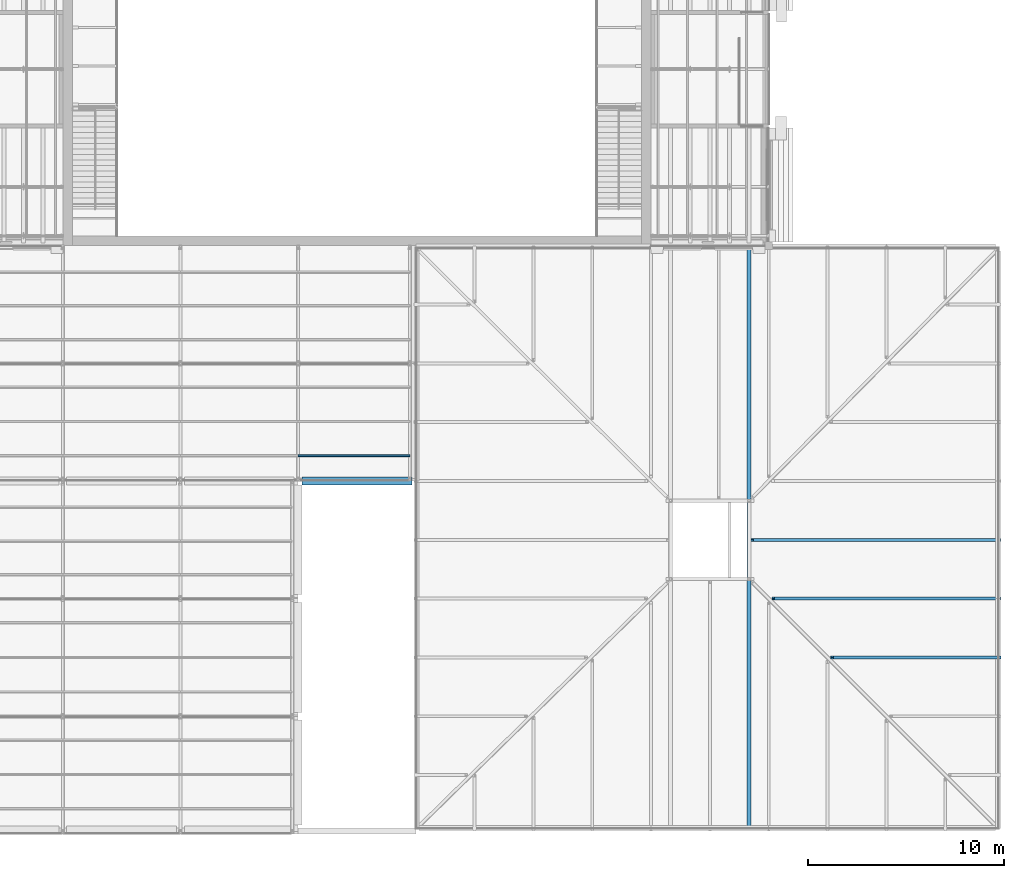
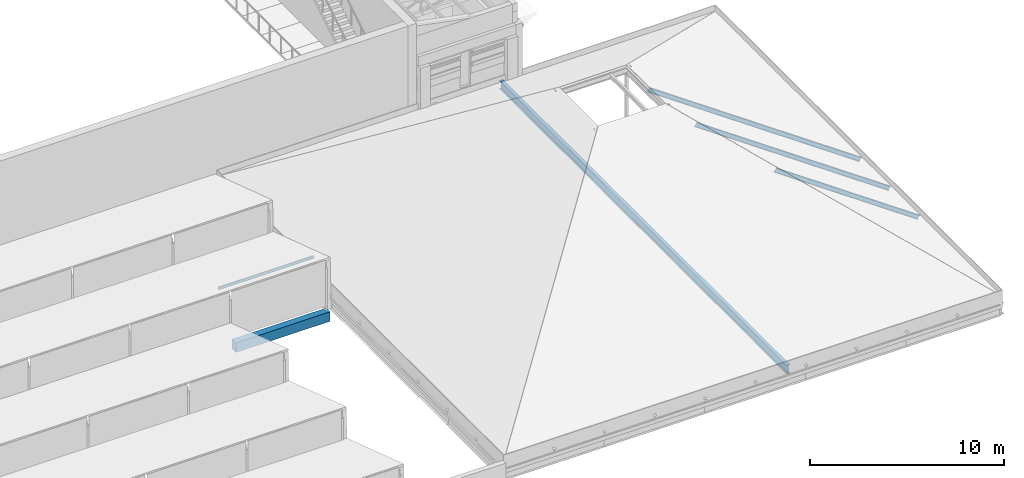
# One storey, part 20 of 118: 4 members, 2 beams.
"""IFC4 building model written with IfcOpenShell, lengths in metres."""

from ifc_helpers import new_model, si_unit, direction, frame, origin, origin_2d, place, context, subcontext, project, spatial, rectangle, i_section, extrude, material, material_profile, profile_set, type_object, element, save


model = new_model("IFC4")

# Units and contexts
model_context = context("Model", 3, precision=1e-05, world=origin(), true_north=direction((0.0, 1.0)))
body_context = subcontext(model_context, "Body", "Model", "MODEL_VIEW")
ifc_project = project(units=[si_unit("LENGTHUNIT", "METRE"), si_unit("AREAUNIT", "SQUARE_METRE"), si_unit("VOLUMEUNIT", "CUBIC_METRE"), si_unit("PLANEANGLEUNIT", "RADIAN"), si_unit("MASSUNIT", "GRAM", prefix="KILO")], contexts=[model_context])

# Site, building, storey
site_placement = place(None, origin())
site = spatial("IfcSite", under=ifc_project, at=site_placement, CompositionType="ELEMENT")
building_placement = place(site_placement, origin())
building = spatial("IfcBuilding", under=site, at=building_placement, Name="Saffron Lane Theatres", CompositionType="ELEMENT")
storey_placement = place(building_placement, frame((0.0, 0.0, 16.5)))
storey = spatial("IfcBuildingStorey", under=building, at=storey_placement, Name="L03", CompositionType="ELEMENT", Elevation=16.5)

# Beams
ifc_material_1 = material(Name="Concrete N40 (40 MPa)", Category="concrete")
ifc_material_profile_1 = material_profile(ifc_material_1, rectangle(XDim=0.39990234375, YDim=0.60009765625, at=origin_2d()))
ifc_profile_set_1 = profile_set([ifc_material_profile_1], Name="Concrete N40 (40 MPa)")
beam_type_1 = type_object("IfcBeamType", Name="RC-BEAM 400x600", PredefinedType="BEAM", material=ifc_profile_set_1)
beam_1_placement = place(storey_placement, frame((30.199951171875, 18.0, -0.300048828125), z_axis=(1.0, 0.0, 0.0), x_axis=(0.0, 1.0, 0.0)))
element("IfcBeam", 1, at=beam_1_placement, inside=storey, type_object=beam_type_1, Name="beam-eaves-x180-482", PredefinedType="BEAM", context=body_context, shape_type="SweptSolid", body=[
    extrude(rectangle(XDim=0.39990234375, YDim=0.60009765625, at=origin_2d()), origin(), (0.0, 0.0, 1.0), 5.60009765625),
])
ifc_material_2 = material(Name="Steel Grade 350", Category="steel")
ifc_material_profile_2 = material_profile(ifc_material_2, i_section(OverallWidth=0.208984375, OverallDepth=0.532958984375, WebThickness=0.01025390625, FlangeThickness=0.015625, FilletRadius=0.013916015625, at=origin_2d()))
ifc_profile_set_2 = profile_set([ifc_material_profile_2], Name="Steel Grade 350")
beam_type_2 = type_object("IfcBeamType", Name="ST-CROWN GIRDER 530UB92.4", PredefinedType="BEAM", material=ifc_profile_set_2)
beam_2_placement = place(storey_placement, frame((53.0, 0.300048828125, 0.966552734375), z_axis=(0.0, 1.0, 0.0), x_axis=(-1.0, 0.0, 0.0)))
element("IfcBeam", 2, at=beam_2_placement, inside=storey, type_object=beam_type_2, Name="SG2", PredefinedType="BEAM", context=body_context, shape_type="SweptSolid", body=[
    extrude(i_section(OverallWidth=0.208984375, OverallDepth=0.532958984375, WebThickness=0.01025390625, FlangeThickness=0.015625, FilletRadius=0.013916015625, at=origin_2d()), origin(), (0.0, 0.0, 1.0), 29.64990234375),
])

# Members
ifc_material_3 = material(Name="Steel Grade 350", Category="steel")
ifc_material_profile_3 = material_profile(ifc_material_3, i_section(OverallWidth=0.14599609375, OverallDepth=0.251953125, WebThickness=0.006103515625, FlangeThickness=0.008544921875, FilletRadius=0.011962890625, at=origin_2d()))
ifc_profile_set_3 = profile_set([ifc_material_profile_3], Name="Steel Grade 350")
member_type_1 = type_object("IfcMemberType", Name="ST-JACK RAFTER 250UB31.4", PredefinedType="RAFTER", material=ifc_profile_set_3)
member_1_placement = place(storey_placement, frame((65.772216796875, 9.0, 0.80322265625), z_axis=(-0.819816104081, 0.0, 0.572626890296), x_axis=(0.0, -1.0, 0.0)))
element("IfcMember", 3, at=member_1_placement, inside=storey, type_object=member_type_1, Name="SK24", PredefinedType="RAFTER", context=body_context, shape_type="SweptSolid", body=[
    extrude(i_section(OverallWidth=0.14599609375, OverallDepth=0.251953125, WebThickness=0.006103515625, FlangeThickness=0.008544921875, FilletRadius=0.011962890625, at=origin_2d()), origin(), (0.0, 0.0, 1.0), 10.41796875),
])
member_2_placement = place(storey_placement, frame((65.772216796875, 12.0, 0.80322265625), z_axis=(-0.819815683072, 0.0, 0.572627493044), x_axis=(0.0, -1.0, 0.0)))
element("IfcMember", 4, at=member_2_placement, inside=storey, type_object=member_type_1, Name="SK26", PredefinedType="RAFTER", context=body_context, shape_type="SweptSolid", body=[
    extrude(i_section(OverallWidth=0.14599609375, OverallDepth=0.251953125, WebThickness=0.006103515625, FlangeThickness=0.008544921875, FilletRadius=0.011962890625, at=origin_2d()), origin(), (0.0, 0.0, 1.0), 14.077392578125),
])
member_3_placement = place(storey_placement, frame((65.772216796875, 15.0, 0.80322265625), z_axis=(-0.819813881296, 0.0, 0.57263007259), x_axis=(0.0, -1.0, 0.0)))
element("IfcMember", 5, at=member_3_placement, inside=storey, type_object=member_type_1, Name="SK28", PredefinedType="RAFTER", context=body_context, shape_type="SweptSolid", body=[
    extrude(i_section(OverallWidth=0.14599609375, OverallDepth=0.251953125, WebThickness=0.006103515625, FlangeThickness=0.008544921875, FilletRadius=0.011962890625, at=origin_2d()), origin(), (0.0, 0.0, 1.0), 15.401123046875),
])
ifc_material_4 = material(Name="Steel Grade 350", Category="steel")
ifc_material_profile_4 = material_profile(ifc_material_4, i_section(OverallWidth=0.074951171875, OverallDepth=0.155029296875, WebThickness=0.006103515625, FlangeThickness=0.009521484375, FilletRadius=0.008056640625, at=origin_2d()))
ifc_profile_set_4 = profile_set([ifc_material_profile_4], Name="Steel Grade 350")
member_type_2 = type_object("IfcMemberType", Name="ST-STUDIO PURLIN 150UB18.0", PredefinedType="PURLIN", material=ifc_profile_set_4)
member_4_placement = place(storey_placement, frame((30.0, 19.28759765625, 2.60009765625), z_axis=(1.0, 0.0, 0.0), x_axis=(0.0, 0.949628648787, -0.313377455162)))
element("IfcMember", 6, at=member_4_placement, inside=storey, type_object=member_type_2, Name="GSU41", PredefinedType="PURLIN", context=body_context, shape_type="SweptSolid", body=[
    extrude(i_section(OverallWidth=0.074951171875, OverallDepth=0.155029296875, WebThickness=0.006103515625, FlangeThickness=0.009521484375, FilletRadius=0.008056640625, at=origin_2d()), origin(), (0.0, 0.0, 1.0), 5.699951171875),
])

save(model, "model.ifc")
